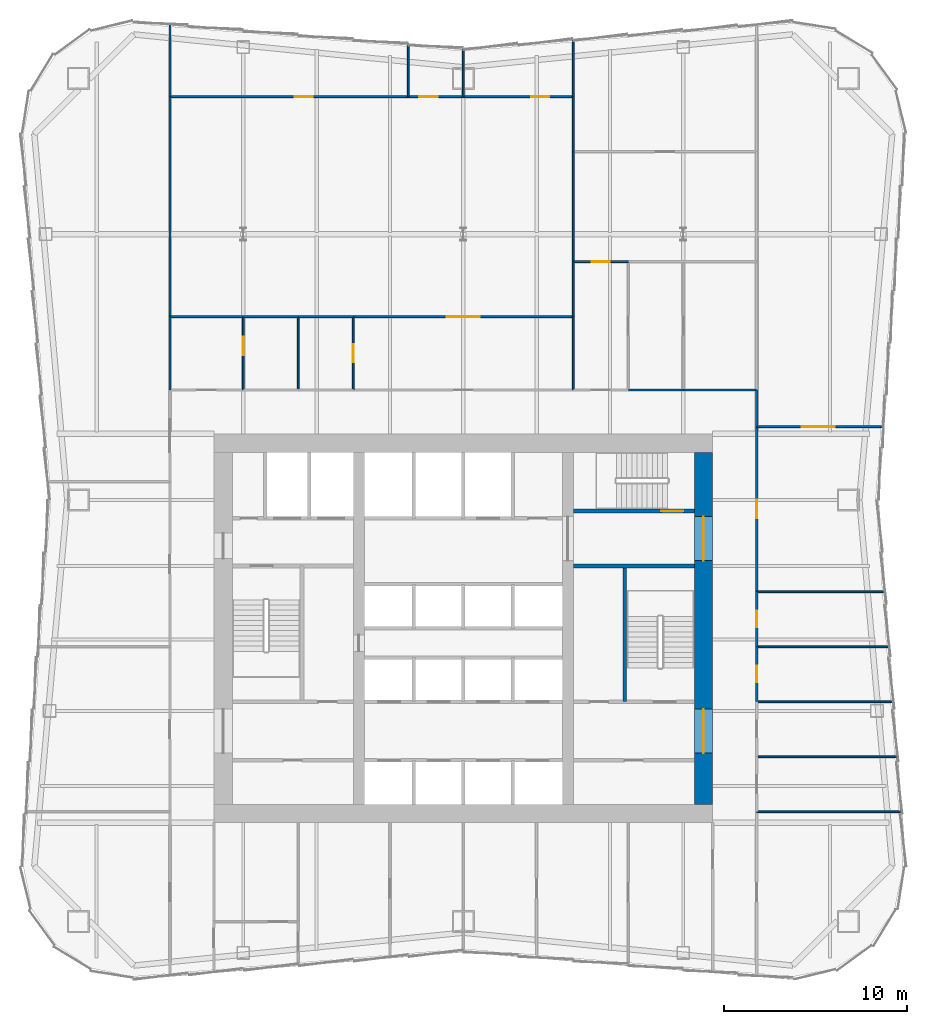
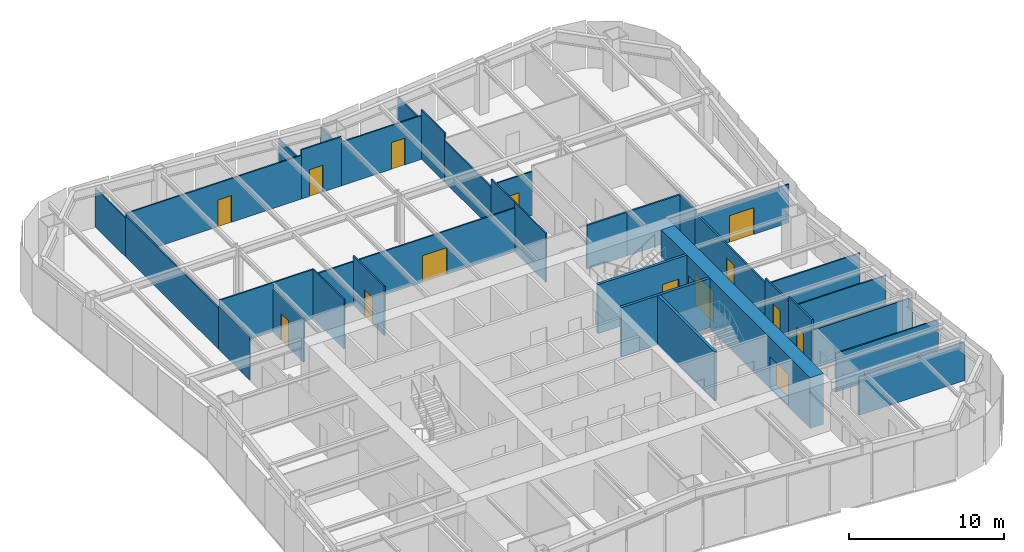
# One storey, part 6 of 8: 37 walls, 14 doors, 14 openings.
"""IFC4 building model written with IfcOpenShell, lengths in metres."""

from ifc_helpers import new_model, si_unit, direction, frame, frame_2d, origin, place, context, subcontext, project, spatial, rectangle, extrude, material, layer, layer_set, type_object, element, fill, save


model = new_model("IFC4")

# Units and contexts
model_context = context("Model", 3, precision=1e-05, world=origin(), true_north=direction((0.0, 1.0)))
body_context = subcontext(model_context, "Body", "Model", "MODEL_VIEW")
ifc_project = project(units=[si_unit("LENGTHUNIT", "METRE"), si_unit("AREAUNIT", "SQUARE_METRE"), si_unit("VOLUMEUNIT", "CUBIC_METRE"), si_unit("PLANEANGLEUNIT", "RADIAN"), si_unit("MASSUNIT", "GRAM", prefix="KILO")], contexts=[model_context])

# Site, building, storey
site_placement = place(None, origin())
site = spatial("IfcSite", under=ifc_project, at=site_placement, CompositionType="ELEMENT")
building_placement = place(site_placement, origin())
building = spatial("IfcBuilding", under=site, at=building_placement, Name="Verdant Reach Tower", CompositionType="ELEMENT")
storey_placement = place(building_placement, frame((0.0, 0.0, 154.0)))
storey = spatial("IfcBuildingStorey", under=building, at=storey_placement, Name="L35", CompositionType="ELEMENT", Elevation=154.0)

# Wall
ifc_material_1 = material(Name="Concrete C40/50", Category="concrete")
ifc_layer_1 = layer(ifc_material_1, 0.199951171875)
ifc_layer_set_1 = layer_set([ifc_layer_1], Name="CO-WALL-STAIR")
wall_type_1 = type_object("IfcWallType", Name="CO-WALL-STAIR", PredefinedType="PARTITIONING", material=ifc_layer_set_1)
wall_1_placement = place(storey_placement, frame((6.0, 31.39990234375, 0.0), z_axis=(0.0, 0.0, 1.0), x_axis=(1.0, 0.0, 0.0)))
element("IfcWall", 1, at=wall_1_placement, inside=storey, type_object=wall_type_1, Name="Stair enclosure wall, L35", PredefinedType="PARTITIONING", context=body_context, shape_type="SweptSolid", body=[
    extrude(rectangle(XDim=6.60009765625, YDim=0.199951171875, at=frame_2d((3.300048828125, 0.0))), origin(), (0.0, 0.0, 1.0), 3.8701171875),
])

# Wall, opening, door
wall_2_placement = place(storey_placement, frame((6.0, 34.39990234375, 0.0), z_axis=(0.0, 0.0, 1.0), x_axis=(1.0, 0.0, 0.0)))
wall_2 = element("IfcWall", 2, at=wall_2_placement, inside=storey, type_object=wall_type_1, Name="Stair enclosure wall, L35", PredefinedType="PARTITIONING", context=body_context, shape_type="SweptSolid", body=[
    extrude(rectangle(XDim=6.60009765625, YDim=0.199951171875, at=frame_2d((3.300048828125, 0.0))), origin(), (0.0, 0.0, 1.0), 3.8701171875),
])
opening_1_placement = place(wall_2_placement, frame((4.800048828125, 0.0, 0.0)))
opening_1 = element("IfcOpeningElement", 3, at=opening_1_placement, cuts=wall_2, Name="Opening SD", PredefinedType="OPENING", context=body_context, shape_type="SweptSolid", body=[
    extrude(rectangle(XDim=1.199951171875, YDim=2.199951171875, at=frame_2d((0.60009765625, 1.10009765625))), frame((0.0, 0.10986328125, 0.0), z_axis=(0.0, -1.0, 0.0), x_axis=(1.0, 0.0, 0.0)), (0.0, 0.0, 1.0), 0.219970703125),
])
ifc_material_2 = material(Name="Steel", Category="steel")
door_type_1 = type_object("IfcDoorType", Name="CO-DOOR-STAIR", OperationType="NOTDEFINED", PredefinedType="DOOR", material=ifc_material_2)
door_1_placement = place(opening_1_placement, origin())
door_1 = element("IfcDoor", 4, at=door_1_placement, inside=storey, type_object=door_type_1, Name="Stair door, L35", OperationType="SINGLE_SWING_RIGHT", OverallHeight=2.199951171875, OverallWidth=1.199951171875, PredefinedType="DOOR", context=body_context, shape_type="SweptSolid", body=[
    extrude(rectangle(XDim=1.199951171875, YDim=2.199951171875, at=frame_2d((0.60009765625, 1.10009765625))), frame((0.0, 0.02490234375, 0.0), z_axis=(0.0, -1.0, 0.0), x_axis=(1.0, 0.0, 0.0)), (0.0, 0.0, 1.0), 0.050048828125),
])
fill(opening_1, door_1)

# Walls
wall_3_placement = place(storey_placement, frame((8.800048828125, 24.0, 0.0), z_axis=(0.0, 0.0, 1.0), x_axis=(0.0, 1.0, 0.0)))
element("IfcWall", 5, at=wall_3_placement, inside=storey, type_object=wall_type_1, Name="Stair enclosure wall, L35", PredefinedType="PARTITIONING", context=body_context, shape_type="SweptSolid", body=[
    extrude(rectangle(XDim=7.39990234375, YDim=0.199951171875, at=frame_2d((3.699951171875, 0.0))), origin(), (0.0, 0.0, 1.0), 3.8701171875),
])
ifc_material_3 = material(Name="Gypsum board on steel studs", Category="steel")
ifc_layer_2 = layer(ifc_material_3, 0.10009765625)
ifc_layer_set_2 = layer_set([ifc_layer_2], Name="FL-W1 Partition 100")
wall_type_2 = type_object("IfcWallType", Name="FL-W1 Partition 100", PredefinedType="PARTITIONING", material=ifc_layer_set_2)
wall_4_placement = place(storey_placement, frame((-16.0, 41.0, 0.0), z_axis=(0.0, 0.0, 1.0), x_axis=(0.0, 1.0, 0.0)))
element("IfcWall", 6, at=wall_4_placement, inside=storey, type_object=wall_type_2, Name="Partition 35.25", PredefinedType="PARTITIONING", context=body_context, shape_type="SweptSolid", body=[
    extrude(rectangle(XDim=4.0, YDim=0.10009765625, at=frame_2d((2.0, 0.0))), origin(), (0.0, 0.0, 1.0), 3.43994140625),
])
wall_5_placement = place(storey_placement, frame((-16.0, 45.0, 0.0), z_axis=(0.0, 0.0, 1.0), x_axis=(0.0, 1.0, 0.0)))
element("IfcWall", 7, at=wall_5_placement, inside=storey, type_object=wall_type_2, Name="Partition 35.26", PredefinedType="PARTITIONING", context=body_context, shape_type="SweptSolid", body=[
    extrude(rectangle(XDim=12.0, YDim=0.10009765625, at=frame_2d((6.0, 0.0))), origin(), (0.0, 0.0, 1.0), 3.239990234375),
])
wall_6_placement = place(storey_placement, frame((-16.0, 57.0, 0.0), z_axis=(0.0, 0.0, 1.0), x_axis=(0.0, 1.0, 0.0)))
element("IfcWall", 8, at=wall_6_placement, inside=storey, type_object=wall_type_2, Name="Partition 35.27", PredefinedType="PARTITIONING", context=body_context, shape_type="SweptSolid", body=[
    extrude(rectangle(XDim=3.913330078125, YDim=0.10009765625, at=frame_2d((1.95654296875, 0.0))), origin(), (0.0, 0.0, 1.0), 3.0400390625),
])
wall_7_placement = place(storey_placement, frame((23.85498046875, 18.0, 0.0), z_axis=(0.0, 0.0, 1.0), x_axis=(-1.0, 0.0, 0.0)))
element("IfcWall", 9, at=wall_7_placement, inside=storey, type_object=wall_type_2, Name="Partition 35.28", PredefinedType="PARTITIONING", context=body_context, shape_type="SweptSolid", body=[
    extrude(rectangle(XDim=7.85498046875, YDim=0.10009765625, at=frame_2d((3.927490234375, 0.0))), origin(), (0.0, 0.0, 1.0), 3.0400390625),
])
wall_8_placement = place(storey_placement, frame((23.6298828125, 21.0, 0.0), z_axis=(0.0, 0.0, 1.0), x_axis=(-1.0, 0.0, 0.0)))
element("IfcWall", 10, at=wall_8_placement, inside=storey, type_object=wall_type_2, Name="Partition 35.29", PredefinedType="PARTITIONING", context=body_context, shape_type="SweptSolid", body=[
    extrude(rectangle(XDim=7.6298828125, YDim=0.10009765625, at=frame_2d((3.81494140625, 0.0))), origin(), (0.0, 0.0, 1.0), 3.0400390625),
])
wall_9_placement = place(storey_placement, frame((23.405029296875, 24.0, 0.0), z_axis=(0.0, 0.0, 1.0), x_axis=(-1.0, 0.0, 0.0)))
element("IfcWall", 11, at=wall_9_placement, inside=storey, type_object=wall_type_2, Name="Partition 35.30", PredefinedType="PARTITIONING", context=body_context, shape_type="SweptSolid", body=[
    extrude(rectangle(XDim=7.405029296875, YDim=0.10009765625, at=frame_2d((3.70263671875, 0.0))), origin(), (0.0, 0.0, 1.0), 3.0400390625),
])
wall_10_placement = place(storey_placement, frame((23.179931640625, 27.0, 0.0), z_axis=(0.0, 0.0, 1.0), x_axis=(-1.0, 0.0, 0.0)))
element("IfcWall", 12, at=wall_10_placement, inside=storey, type_object=wall_type_2, Name="Partition 35.31", PredefinedType="PARTITIONING", context=body_context, shape_type="SweptSolid", body=[
    extrude(rectangle(XDim=7.179931640625, YDim=0.10009765625, at=frame_2d((3.58984375, 0.0))), origin(), (0.0, 0.0, 1.0), 3.0400390625),
])
wall_11_placement = place(storey_placement, frame((22.955078125, 30.0, 0.0), z_axis=(0.0, 0.0, 1.0), x_axis=(-1.0, 0.0, 0.0)))
element("IfcWall", 13, at=wall_11_placement, inside=storey, type_object=wall_type_2, Name="Partition 35.32", PredefinedType="PARTITIONING", context=body_context, shape_type="SweptSolid", body=[
    extrude(rectangle(XDim=6.955078125, YDim=0.10009765625, at=frame_2d((3.4775390625, 0.0))), origin(), (0.0, 0.0, 1.0), 3.0400390625),
])

# Wall, opening, door
wall_12_placement = place(storey_placement, frame((16.0, 39.0, 0.0), z_axis=(0.0, 0.0, 1.0), x_axis=(1.0, 0.0, 0.0)))
wall_12 = element("IfcWall", 14, at=wall_12_placement, inside=storey, type_object=wall_type_2, Name="Partition 35.33", PredefinedType="PARTITIONING", context=body_context, shape_type="SweptSolid", body=[
    extrude(rectangle(XDim=6.8798828125, YDim=0.10009765625, at=frame_2d((3.43994140625, 0.0))), origin(), (0.0, 0.0, 1.0), 3.0400390625),
])
opening_2_placement = place(wall_12_placement, frame((2.474853515625, 0.0, 0.0)))
opening_2 = element("IfcOpeningElement", 15, at=opening_2_placement, cuts=wall_12, Name="Opening D5", PredefinedType="OPENING", context=body_context, shape_type="SweptSolid", body=[
    extrude(rectangle(XDim=1.800048828125, YDim=2.10009765625, at=frame_2d((0.89990234375, 1.050048828125))), frame((0.0, 0.06005859375, 0.0), z_axis=(0.0, -1.0, 0.0), x_axis=(1.0, 0.0, 0.0)), (0.0, 0.0, 1.0), 0.1201171875),
])
ifc_material_4 = material(Name="Painted timber door leaves", Category="wood")
door_type_2 = type_object("IfcDoorType", Name="FL-D5 Double door 1800x2100", OperationType="DOUBLE_DOOR_SINGLE_SWING", PredefinedType="DOOR", material=ifc_material_4)
door_2_placement = place(opening_2_placement, origin())
door_2 = element("IfcDoor", 16, at=door_2_placement, inside=storey, type_object=door_type_2, Name="Door 35-016", OperationType="DOUBLE_DOOR_SINGLE_SWING", OverallHeight=2.10009765625, OverallWidth=1.800048828125, PredefinedType="DOOR", context=body_context, shape_type="SweptSolid", body=[
    extrude(rectangle(XDim=1.800048828125, YDim=2.10009765625, at=frame_2d((0.89990234375, 1.050048828125))), frame((0.0, 0.02490234375, 0.0), z_axis=(0.0, -1.0, 0.0), x_axis=(1.0, 0.0, 0.0)), (0.0, 0.0, 1.0), 0.050048828125),
])
fill(opening_2, door_2)

wall_13_placement = place(storey_placement, frame((-12.0, 45.0, 0.0), z_axis=(0.0, 0.0, 1.0), x_axis=(0.0, -1.0, 0.0)))
wall_13 = element("IfcWall", 17, at=wall_13_placement, inside=storey, type_object=wall_type_2, Name="Partition 35.44", PredefinedType="PARTITIONING", context=body_context, shape_type="SweptSolid", body=[
    extrude(rectangle(XDim=4.0, YDim=0.10009765625, at=frame_2d((2.0, 0.0))), origin(), (0.0, 0.0, 1.0), 3.43994140625),
])
opening_3_placement = place(wall_13_placement, frame((1.10009765625, 0.0, 0.0)))
opening_3 = element("IfcOpeningElement", 18, at=opening_3_placement, cuts=wall_13, Name="Opening D3", PredefinedType="OPENING", context=body_context, shape_type="SweptSolid", body=[
    extrude(rectangle(XDim=1.0, YDim=2.10009765625, at=frame_2d((0.5, 1.050048828125))), frame((0.0, 0.06005859375, 0.0), z_axis=(0.0, -1.0, 0.0), x_axis=(1.0, 0.0, 0.0)), (0.0, 0.0, 1.0), 0.1201171875),
])
ifc_material_5 = material(Name="Painted timber door leaf", Category="wood")
door_type_3 = type_object("IfcDoorType", Name="FL-D3 Door 1000x2100", OperationType="NOTDEFINED", PredefinedType="DOOR", material=ifc_material_5)
door_3_placement = place(opening_3_placement, origin())
door_3 = element("IfcDoor", 19, at=door_3_placement, inside=storey, type_object=door_type_3, Name="Door 35-022", OperationType="SINGLE_SWING_LEFT", OverallHeight=2.10009765625, OverallWidth=1.0, PredefinedType="DOOR", context=body_context, shape_type="SweptSolid", body=[
    extrude(rectangle(XDim=1.0, YDim=2.10009765625, at=frame_2d((0.5, 1.050048828125))), frame((0.0, 0.02490234375, 0.0), z_axis=(0.0, -1.0, 0.0), x_axis=(1.0, 0.0, 0.0)), (0.0, 0.0, 1.0), 0.050048828125),
])
fill(opening_3, door_3)

# Walls
wall_14_placement = place(storey_placement, frame((-11.99609375, 45.0, 0.0), z_axis=(0.0, 0.0, 1.0), x_axis=(-1.0, 0.0, 0.0)))
element("IfcWall", 20, at=wall_14_placement, inside=storey, type_object=wall_type_2, Name="Partition 35.45", PredefinedType="PARTITIONING", context=body_context, shape_type="SweptSolid", body=[
    extrude(rectangle(XDim=4.00390625, YDim=0.10009765625, at=frame_2d((2.001953125, 0.0))), origin(), (0.0, 0.0, 1.0), 3.8701171875),
])
wall_15_placement = place(storey_placement, frame((-9.0, 41.0, 0.0), z_axis=(0.0, 0.0, 1.0), x_axis=(0.0, 1.0, 0.0)))
element("IfcWall", 21, at=wall_15_placement, inside=storey, type_object=wall_type_2, Name="Partition 35.46", PredefinedType="PARTITIONING", context=body_context, shape_type="SweptSolid", body=[
    extrude(rectangle(XDim=4.0, YDim=0.10009765625, at=frame_2d((2.0, 0.0))), origin(), (0.0, 0.0, 1.0), 3.8701171875),
])
wall_16_placement = place(storey_placement, frame((-8.99609375, 45.0, 0.0), z_axis=(0.0, 0.0, 1.0), x_axis=(-1.0, 0.0, 0.0)))
element("IfcWall", 22, at=wall_16_placement, inside=storey, type_object=wall_type_2, Name="Partition 35.47", PredefinedType="PARTITIONING", context=body_context, shape_type="SweptSolid", body=[
    extrude(rectangle(XDim=3.0078125, YDim=0.10009765625, at=frame_2d((1.50390625, 0.0))), origin(), (0.0, 0.0, 1.0), 3.8701171875),
])

# Wall, opening, door
wall_17_placement = place(storey_placement, frame((-6.0, 41.0, 0.0), z_axis=(0.0, 0.0, 1.0), x_axis=(0.0, 1.0, 0.0)))
wall_17 = element("IfcWall", 23, at=wall_17_placement, inside=storey, type_object=wall_type_2, Name="Partition 35.48", PredefinedType="PARTITIONING", context=body_context, shape_type="SweptSolid", body=[
    extrude(rectangle(XDim=4.0, YDim=0.10009765625, at=frame_2d((2.0, 0.0))), origin(), (0.0, 0.0, 1.0), 3.8701171875),
])
opening_4_placement = place(wall_17_placement, frame((1.5, 0.0, 0.0)))
opening_4 = element("IfcOpeningElement", 24, at=opening_4_placement, cuts=wall_17, Name="Opening D3", PredefinedType="OPENING", context=body_context, shape_type="SweptSolid", body=[
    extrude(rectangle(XDim=1.0, YDim=2.10009765625, at=frame_2d((0.5, 1.050048828125))), frame((0.0, 0.06005859375, 0.0), z_axis=(0.0, -1.0, 0.0), x_axis=(1.0, 0.0, 0.0)), (0.0, 0.0, 1.0), 0.1201171875),
])
door_4_placement = place(opening_4_placement, origin())
door_4 = element("IfcDoor", 25, at=door_4_placement, inside=storey, type_object=door_type_3, Name="Door 35-023", OperationType="SINGLE_SWING_LEFT", OverallHeight=2.10009765625, OverallWidth=1.0, PredefinedType="DOOR", context=body_context, shape_type="SweptSolid", body=[
    extrude(rectangle(XDim=1.0, YDim=2.10009765625, at=frame_2d((0.5, 1.050048828125))), frame((0.0, 0.02490234375, 0.0), z_axis=(0.0, -1.0, 0.0), x_axis=(1.0, 0.0, 0.0)), (0.0, 0.0, 1.0), 0.050048828125),
])
fill(opening_4, door_4)

# Wall
wall_18_placement = place(storey_placement, frame((-5.99609375, 45.0, 0.0), z_axis=(0.0, 0.0, 1.0), x_axis=(-1.0, 0.0, 0.0)))
element("IfcWall", 26, at=wall_18_placement, inside=storey, type_object=wall_type_2, Name="Partition 35.49", PredefinedType="PARTITIONING", context=body_context, shape_type="SweptSolid", body=[
    extrude(rectangle(XDim=3.0078125, YDim=0.10009765625, at=frame_2d((1.50390625, 0.0))), origin(), (0.0, 0.0, 1.0), 3.43994140625),
])

# Wall, opening, door
wall_19_placement = place(storey_placement, frame((-6.00390625, 45.0, 0.0), z_axis=(0.0, 0.0, 1.0), x_axis=(1.0, 0.0, 0.0)))
wall_19 = element("IfcWall", 27, at=wall_19_placement, inside=storey, type_object=wall_type_2, Name="Partition 35.50", PredefinedType="PARTITIONING", context=body_context, shape_type="SweptSolid", body=[
    extrude(rectangle(XDim=12.00390625, YDim=0.10009765625, at=frame_2d((6.001953125, 0.0))), origin(), (0.0, 0.0, 1.0), 3.43994140625),
])
opening_5_placement = place(wall_19_placement, frame((5.10205078125, 0.0, 0.0)))
opening_5 = element("IfcOpeningElement", 28, at=opening_5_placement, cuts=wall_19, Name="Opening D5", PredefinedType="OPENING", context=body_context, shape_type="SweptSolid", body=[
    extrude(rectangle(XDim=1.800048828125, YDim=2.10009765625, at=frame_2d((0.89990234375, 1.050048828125))), frame((0.0, 0.06005859375, 0.0), z_axis=(0.0, -1.0, 0.0), x_axis=(1.0, 0.0, 0.0)), (0.0, 0.0, 1.0), 0.1201171875),
])
door_5_placement = place(opening_5_placement, origin())
door_5 = element("IfcDoor", 29, at=door_5_placement, inside=storey, type_object=door_type_2, Name="Door 35-024", OperationType="DOUBLE_DOOR_SINGLE_SWING", OverallHeight=2.10009765625, OverallWidth=1.800048828125, PredefinedType="DOOR", context=body_context, shape_type="SweptSolid", body=[
    extrude(rectangle(XDim=1.800048828125, YDim=2.10009765625, at=frame_2d((0.89990234375, 1.050048828125))), frame((0.0, 0.02490234375, 0.0), z_axis=(0.0, -1.0, 0.0), x_axis=(1.0, 0.0, 0.0)), (0.0, 0.0, 1.0), 0.050048828125),
])
fill(opening_5, door_5)

# Wall
wall_20_placement = place(storey_placement, frame((6.0, 41.0, 0.0), z_axis=(0.0, 0.0, 1.0), x_axis=(0.0, 1.0, 0.0)))
element("IfcWall", 30, at=wall_20_placement, inside=storey, type_object=wall_type_2, Name="Partition 35.51", PredefinedType="PARTITIONING", context=body_context, shape_type="SweptSolid", body=[
    extrude(rectangle(XDim=4.00390625, YDim=0.10009765625, at=frame_2d((2.001953125, 0.0))), origin(), (0.0, 0.0, 1.0), 3.8701171875),
])

# Wall, opening, door
wall_21_placement = place(storey_placement, frame((-16.0, 57.0, 0.0), z_axis=(0.0, 0.0, 1.0), x_axis=(1.0, 0.0, 0.0)))
wall_21 = element("IfcWall", 31, at=wall_21_placement, inside=storey, type_object=wall_type_2, Name="Partition 35.52", PredefinedType="PARTITIONING", context=body_context, shape_type="SweptSolid", body=[
    extrude(rectangle(XDim=13.0, YDim=0.10009765625, at=frame_2d((6.5, 0.0))), origin(), (0.0, 0.0, 1.0), 3.43994140625),
])
opening_6_placement = place(wall_21_placement, frame((6.800048828125, 0.0, 0.0)))
opening_6 = element("IfcOpeningElement", 32, at=opening_6_placement, cuts=wall_21, Name="Opening D3", PredefinedType="OPENING", context=body_context, shape_type="SweptSolid", body=[
    extrude(rectangle(XDim=1.0, YDim=2.10009765625, at=frame_2d((0.5, 1.050048828125))), frame((0.0, 0.06005859375, 0.0), z_axis=(0.0, -1.0, 0.0), x_axis=(1.0, 0.0, 0.0)), (0.0, 0.0, 1.0), 0.1201171875),
])
door_6_placement = place(opening_6_placement, origin())
door_6 = element("IfcDoor", 33, at=door_6_placement, inside=storey, type_object=door_type_3, Name="Door 35-025", OperationType="SINGLE_SWING_RIGHT", OverallHeight=2.10009765625, OverallWidth=1.0, PredefinedType="DOOR", context=body_context, shape_type="SweptSolid", body=[
    extrude(rectangle(XDim=1.0, YDim=2.10009765625, at=frame_2d((0.5, 1.050048828125))), frame((0.0, 0.02490234375, 0.0), z_axis=(0.0, -1.0, 0.0), x_axis=(1.0, 0.0, 0.0)), (0.0, 0.0, 1.0), 0.050048828125),
])
fill(opening_6, door_6)

wall_22_placement = place(storey_placement, frame((-3.0, 57.0, 0.0), z_axis=(0.0, 0.0, 1.0), x_axis=(1.0, 0.0, 0.0)))
wall_22 = element("IfcWall", 34, at=wall_22_placement, inside=storey, type_object=wall_type_2, Name="Partition 35.53", PredefinedType="PARTITIONING", context=body_context, shape_type="SweptSolid", body=[
    extrude(rectangle(XDim=3.0, YDim=0.10009765625, at=frame_2d((1.5, 0.0))), origin(), (0.0, 0.0, 1.0), 3.8701171875),
])
opening_7_placement = place(wall_22_placement, frame((0.60009765625, 0.0, 0.0)))
opening_7 = element("IfcOpeningElement", 35, at=opening_7_placement, cuts=wall_22, Name="Opening D3", PredefinedType="OPENING", context=body_context, shape_type="SweptSolid", body=[
    extrude(rectangle(XDim=1.0, YDim=2.10009765625, at=frame_2d((0.5, 1.050048828125))), frame((0.0, 0.06005859375, 0.0), z_axis=(0.0, -1.0, 0.0), x_axis=(1.0, 0.0, 0.0)), (0.0, 0.0, 1.0), 0.1201171875),
])
door_7_placement = place(opening_7_placement, origin())
door_7 = element("IfcDoor", 36, at=door_7_placement, inside=storey, type_object=door_type_3, Name="Door 35-026", OperationType="SINGLE_SWING_LEFT", OverallHeight=2.10009765625, OverallWidth=1.0, PredefinedType="DOOR", context=body_context, shape_type="SweptSolid", body=[
    extrude(rectangle(XDim=1.0, YDim=2.10009765625, at=frame_2d((0.5, 1.050048828125))), frame((0.0, 0.02490234375, 0.0), z_axis=(0.0, -1.0, 0.0), x_axis=(1.0, 0.0, 0.0)), (0.0, 0.0, 1.0), 0.050048828125),
])
fill(opening_7, door_7)

wall_23_placement = place(storey_placement, frame((0.0, 57.0, 0.0), z_axis=(0.0, 0.0, 1.0), x_axis=(1.0, 0.0, 0.0)))
wall_23 = element("IfcWall", 37, at=wall_23_placement, inside=storey, type_object=wall_type_2, Name="Partition 35.54", PredefinedType="PARTITIONING", context=body_context, shape_type="SweptSolid", body=[
    extrude(rectangle(XDim=6.0, YDim=0.10009765625, at=frame_2d((3.0, 0.0))), origin(), (0.0, 0.0, 1.0), 3.43994140625),
])
opening_8_placement = place(wall_23_placement, frame((3.699951171875, 0.0, 0.0)))
opening_8 = element("IfcOpeningElement", 38, at=opening_8_placement, cuts=wall_23, Name="Opening D3", PredefinedType="OPENING", context=body_context, shape_type="SweptSolid", body=[
    extrude(rectangle(XDim=1.0, YDim=2.10009765625, at=frame_2d((0.5, 1.050048828125))), frame((0.0, 0.06005859375, 0.0), z_axis=(0.0, -1.0, 0.0), x_axis=(1.0, 0.0, 0.0)), (0.0, 0.0, 1.0), 0.1201171875),
])
door_8_placement = place(opening_8_placement, origin())
door_8 = element("IfcDoor", 39, at=door_8_placement, inside=storey, type_object=door_type_3, Name="Door 35-027", OperationType="SINGLE_SWING_RIGHT", OverallHeight=2.10009765625, OverallWidth=1.0, PredefinedType="DOOR", context=body_context, shape_type="SweptSolid", body=[
    extrude(rectangle(XDim=1.0, YDim=2.10009765625, at=frame_2d((0.5, 1.050048828125))), frame((0.0, 0.02490234375, 0.0), z_axis=(0.0, -1.0, 0.0), x_axis=(1.0, 0.0, 0.0)), (0.0, 0.0, 1.0), 0.050048828125),
])
fill(opening_8, door_8)

# Walls
wall_24_placement = place(storey_placement, frame((6.0, 44.99609375, 0.0), z_axis=(0.0, 0.0, 1.0), x_axis=(0.0, 1.0, 0.0)))
element("IfcWall", 40, at=wall_24_placement, inside=storey, type_object=wall_type_2, Name="Partition 35.55", PredefinedType="PARTITIONING", context=body_context, shape_type="SweptSolid", body=[
    extrude(rectangle(XDim=3.00390625, YDim=0.10009765625, at=frame_2d((1.501953125, 0.0))), origin(), (0.0, 0.0, 1.0), 3.8701171875),
])
wall_25_placement = place(storey_placement, frame((6.0, 48.0, 0.0), z_axis=(0.0, 0.0, 1.0), x_axis=(0.0, 1.0, 0.0)))
element("IfcWall", 41, at=wall_25_placement, inside=storey, type_object=wall_type_2, Name="Partition 35.56", PredefinedType="PARTITIONING", context=body_context, shape_type="SweptSolid", body=[
    extrude(rectangle(XDim=6.0, YDim=0.10009765625, at=frame_2d((3.0, 0.0))), origin(), (0.0, 0.0, 1.0), 3.239990234375),
])
wall_26_placement = place(storey_placement, frame((6.0, 54.0, 0.0), z_axis=(0.0, 0.0, 1.0), x_axis=(0.0, 1.0, 0.0)))
element("IfcWall", 42, at=wall_26_placement, inside=storey, type_object=wall_type_2, Name="Partition 35.57", PredefinedType="PARTITIONING", context=body_context, shape_type="SweptSolid", body=[
    extrude(rectangle(XDim=3.00390625, YDim=0.10009765625, at=frame_2d((1.501953125, 0.0))), origin(), (0.0, 0.0, 1.0), 3.8701171875),
])
wall_27_placement = place(storey_placement, frame((-3.0, 57.0, 0.0), z_axis=(0.0, 0.0, 1.0), x_axis=(0.0, 1.0, 0.0)))
element("IfcWall", 43, at=wall_27_placement, inside=storey, type_object=wall_type_2, Name="Partition 35.58", PredefinedType="PARTITIONING", context=body_context, shape_type="SweptSolid", body=[
    extrude(rectangle(XDim=2.830078125, YDim=0.10009765625, at=frame_2d((1.4150390625, 0.0))), origin(), (0.0, 0.0, 1.0), 3.0400390625),
])
wall_28_placement = place(storey_placement, frame((0.0, 57.0, 0.0), z_axis=(0.0, 0.0, 1.0), x_axis=(0.0, 1.0, 0.0)))
element("IfcWall", 44, at=wall_28_placement, inside=storey, type_object=wall_type_2, Name="Partition 35.59", PredefinedType="PARTITIONING", context=body_context, shape_type="SweptSolid", body=[
    extrude(rectangle(XDim=2.580078125, YDim=0.10009765625, at=frame_2d((1.2900390625, 0.0))), origin(), (0.0, 0.0, 1.0), 3.0400390625),
])
wall_29_placement = place(storey_placement, frame((6.0, 56.99609375, 0.0), z_axis=(0.0, 0.0, 1.0), x_axis=(0.0, 1.0, 0.0)))
element("IfcWall", 45, at=wall_29_placement, inside=storey, type_object=wall_type_2, Name="Partition 35.60", PredefinedType="PARTITIONING", context=body_context, shape_type="SweptSolid", body=[
    extrude(rectangle(XDim=3.083984375, YDim=0.10009765625, at=frame_2d((1.5419921875, 0.0))), origin(), (0.0, 0.0, 1.0), 3.0400390625),
])

# Wall, opening, door
wall_30_placement = place(storey_placement, frame((6.0, 48.0, 0.0), z_axis=(0.0, 0.0, 1.0), x_axis=(1.0, 0.0, 0.0)))
wall_30 = element("IfcWall", 46, at=wall_30_placement, inside=storey, type_object=wall_type_2, Name="Partition 35.62", PredefinedType="PARTITIONING", context=body_context, shape_type="SweptSolid", body=[
    extrude(rectangle(XDim=3.00390625, YDim=0.10009765625, at=frame_2d((1.501953125, 0.0))), origin(), (0.0, 0.0, 1.0), 3.43994140625),
])
opening_9_placement = place(wall_30_placement, frame((1.001953125, 0.0, 0.0)))
opening_9 = element("IfcOpeningElement", 47, at=opening_9_placement, cuts=wall_30, Name="Opening D3", PredefinedType="OPENING", context=body_context, shape_type="SweptSolid", body=[
    extrude(rectangle(XDim=1.0, YDim=2.10009765625, at=frame_2d((0.5, 1.050048828125))), frame((0.0, 0.06005859375, 0.0), z_axis=(0.0, -1.0, 0.0), x_axis=(1.0, 0.0, 0.0)), (0.0, 0.0, 1.0), 0.1201171875),
])
door_9_placement = place(opening_9_placement, origin())
door_9 = element("IfcDoor", 48, at=door_9_placement, inside=storey, type_object=door_type_3, Name="Door 35-029", OperationType="SINGLE_SWING_LEFT", OverallHeight=2.10009765625, OverallWidth=1.0, PredefinedType="DOOR", context=body_context, shape_type="SweptSolid", body=[
    extrude(rectangle(XDim=1.0, YDim=2.10009765625, at=frame_2d((0.5, 1.050048828125))), frame((0.0, 0.02490234375, 0.0), z_axis=(0.0, -1.0, 0.0), x_axis=(1.0, 0.0, 0.0)), (0.0, 0.0, 1.0), 0.050048828125),
])
fill(opening_9, door_9)

ifc_material_6 = material(Name="Gypsum board on steel studs, fire rated", Category="steel")
ifc_layer_3 = layer(ifc_material_6, 0.125)
ifc_layer_set_3 = layer_set([ifc_layer_3], Name="FL-W2 Corridor wall 125")
wall_type_3 = type_object("IfcWallType", Name="FL-W2 Corridor wall 125", PredefinedType="PARTITIONING", material=ifc_layer_set_3)
wall_31_placement = place(storey_placement, frame((16.0, 27.0, 0.0), z_axis=(0.0, 0.0, 1.0), x_axis=(0.0, -1.0, 0.0)))
wall_31 = element("IfcWall", 49, at=wall_31_placement, inside=storey, type_object=wall_type_3, Name="Partition 35.08", PredefinedType="PARTITIONING", context=body_context, shape_type="SweptSolid", body=[
    extrude(rectangle(XDim=3.0, YDim=0.125, at=frame_2d((1.5, 0.0))), origin(), (0.0, 0.0, 1.0), 3.8701171875),
])
opening_10_placement = place(wall_31_placement, frame((1.050048828125, 0.0, 0.0)))
opening_10 = element("IfcOpeningElement", 50, at=opening_10_placement, cuts=wall_31, Name="Opening D1", PredefinedType="OPENING", context=body_context, shape_type="SweptSolid", body=[
    extrude(rectangle(XDim=0.89990234375, YDim=2.10009765625, at=frame_2d((0.449951171875, 1.050048828125))), frame((0.0, 0.072509765625, 0.0), z_axis=(0.0, -1.0, 0.0), x_axis=(1.0, 0.0, 0.0)), (0.0, 0.0, 1.0), 0.14501953125),
])
door_type_4 = type_object("IfcDoorType", Name="FL-D1 Door 900x2100", OperationType="NOTDEFINED", PredefinedType="DOOR", material=ifc_material_5)
door_10_placement = place(opening_10_placement, origin())
door_10 = element("IfcDoor", 51, at=door_10_placement, inside=storey, type_object=door_type_4, Name="Door 35-008", OperationType="SINGLE_SWING_RIGHT", OverallHeight=2.10009765625, OverallWidth=0.89990234375, PredefinedType="DOOR", context=body_context, shape_type="SweptSolid", body=[
    extrude(rectangle(XDim=0.89990234375, YDim=2.10009765625, at=frame_2d((0.449951171875, 1.050048828125))), frame((0.0, 0.02490234375, 0.0), z_axis=(0.0, -1.0, 0.0), x_axis=(1.0, 0.0, 0.0)), (0.0, 0.0, 1.0), 0.050048828125),
])
fill(opening_10, door_10)

wall_32_placement = place(storey_placement, frame((16.0, 30.0, 0.0), z_axis=(0.0, 0.0, 1.0), x_axis=(0.0, -1.0, 0.0)))
wall_32 = element("IfcWall", 52, at=wall_32_placement, inside=storey, type_object=wall_type_3, Name="Partition 35.09", PredefinedType="PARTITIONING", context=body_context, shape_type="SweptSolid", body=[
    extrude(rectangle(XDim=3.0, YDim=0.125, at=frame_2d((1.5, 0.0))), origin(), (0.0, 0.0, 1.0), 3.47998046875),
])
opening_11_placement = place(wall_32_placement, frame((1.050048828125, 0.0, 0.0)))
opening_11 = element("IfcOpeningElement", 53, at=opening_11_placement, cuts=wall_32, Name="Opening D1", PredefinedType="OPENING", context=body_context, shape_type="SweptSolid", body=[
    extrude(rectangle(XDim=0.89990234375, YDim=2.10009765625, at=frame_2d((0.449951171875, 1.050048828125))), frame((0.0, 0.072509765625, 0.0), z_axis=(0.0, -1.0, 0.0), x_axis=(1.0, 0.0, 0.0)), (0.0, 0.0, 1.0), 0.14501953125),
])
door_11_placement = place(opening_11_placement, origin())
door_11 = element("IfcDoor", 54, at=door_11_placement, inside=storey, type_object=door_type_4, Name="Door 35-009", OperationType="SINGLE_SWING_LEFT", OverallHeight=2.10009765625, OverallWidth=0.89990234375, PredefinedType="DOOR", context=body_context, shape_type="SweptSolid", body=[
    extrude(rectangle(XDim=0.89990234375, YDim=2.10009765625, at=frame_2d((0.449951171875, 1.050048828125))), frame((0.0, 0.02490234375, 0.0), z_axis=(0.0, -1.0, 0.0), x_axis=(1.0, 0.0, 0.0)), (0.0, 0.0, 1.0), 0.050048828125),
])
fill(opening_11, door_11)

wall_33_placement = place(storey_placement, frame((16.0, 39.0, 0.0), z_axis=(0.0, 0.0, 1.0), x_axis=(0.0, -1.0, 0.0)))
wall_33 = element("IfcWall", 55, at=wall_33_placement, inside=storey, type_object=wall_type_3, Name="Partition 35.10", PredefinedType="PARTITIONING", context=body_context, shape_type="SweptSolid", body=[
    extrude(rectangle(XDim=9.0, YDim=0.125, at=frame_2d((4.5, 0.0))), origin(), (0.0, 0.0, 1.0), 3.139892578125),
])
opening_12_placement = place(wall_33_placement, frame((4.0, 0.0, 0.0)))
opening_12 = element("IfcOpeningElement", 56, at=opening_12_placement, cuts=wall_33, Name="Opening D2", PredefinedType="OPENING", context=body_context, shape_type="SweptSolid", body=[
    extrude(rectangle(XDim=1.0, YDim=2.10009765625, at=frame_2d((0.5, 1.050048828125))), frame((0.0, 0.072509765625, 0.0), z_axis=(0.0, -1.0, 0.0), x_axis=(1.0, 0.0, 0.0)), (0.0, 0.0, 1.0), 0.14501953125),
])
ifc_material_7 = material(Name="Timber door leaf, fire rated", Category="wood")
door_type_5 = type_object("IfcDoorType", Name="FL-D2 Entrance door 1000x2100 FD30", OperationType="NOTDEFINED", PredefinedType="DOOR", material=ifc_material_7)
door_12_placement = place(opening_12_placement, origin())
door_12 = element("IfcDoor", 57, at=door_12_placement, inside=storey, type_object=door_type_5, Name="Door 35-010", OperationType="SINGLE_SWING_RIGHT", OverallHeight=2.10009765625, OverallWidth=1.0, PredefinedType="DOOR", context=body_context, shape_type="SweptSolid", body=[
    extrude(rectangle(XDim=1.0, YDim=2.10009765625, at=frame_2d((0.5, 1.050048828125))), frame((0.0, 0.02490234375, 0.0), z_axis=(0.0, -1.0, 0.0), x_axis=(1.0, 0.0, 0.0)), (0.0, 0.0, 1.0), 0.050048828125),
])
fill(opening_12, door_12)

# Walls
wall_34_placement = place(storey_placement, frame((16.0, 39.0, 0.0), z_axis=(0.0, 0.0, 1.0), x_axis=(0.0, 1.0, 0.0)))
element("IfcWall", 58, at=wall_34_placement, inside=storey, type_object=wall_type_3, Name="Partition 35.11", PredefinedType="PARTITIONING", context=body_context, shape_type="SweptSolid", body=[
    extrude(rectangle(XDim=2.00390625, YDim=0.125, at=frame_2d((1.001953125, 0.0))), origin(), (0.0, 0.0, 1.0), 3.43994140625),
])
wall_35_placement = place(storey_placement, frame((12.0, 41.0, 0.0), z_axis=(0.0, 0.0, 1.0), x_axis=(-1.0, 0.0, 0.0)))
element("IfcWall", 59, at=wall_35_placement, inside=storey, type_object=wall_type_3, Name="Partition 35.20", PredefinedType="PARTITIONING", context=body_context, shape_type="SweptSolid", body=[
    extrude(rectangle(XDim=3.0, YDim=0.125, at=frame_2d((1.5, 0.0))), origin(), (0.0, 0.0, 1.0), 3.43994140625),
])
wall_36_placement = place(storey_placement, frame((16.0, 41.0, 0.0), z_axis=(0.0, 0.0, 1.0), x_axis=(-1.0, 0.0, 0.0)))
element("IfcWall", 60, at=wall_36_placement, inside=storey, type_object=wall_type_3, Name="Partition 35.21", PredefinedType="PARTITIONING", context=body_context, shape_type="SweptSolid", body=[
    extrude(rectangle(XDim=4.0, YDim=0.125, at=frame_2d((2.0, 0.0))), origin(), (0.0, 0.0, 1.0), 3.43994140625),
])

# Wall, openings, doors
ifc_material_8 = material(Name="Concrete C70/85", Category="concrete")
ifc_layer_4 = layer(ifc_material_8, 1.0)
ifc_layer_set_4 = layer_set([ifc_layer_4], Name="ST-CORE-WALL-1000")
wall_type_4 = type_object("IfcWallType", Name="ST-CORE-WALL-1000", PredefinedType="SHEAR", material=ifc_layer_set_4)
wall_37_placement = place(storey_placement, frame((13.10009765625, 18.39990234375, -0.1298828125), z_axis=(0.0, 0.0, 1.0), x_axis=(0.0, 1.0, 0.0)))
wall_37 = element("IfcWall", 61, at=wall_37_placement, inside=storey, type_object=wall_type_4, Name="Core wall E, L35", PredefinedType="SHEAR", context=body_context, shape_type="SweptSolid", body=[
    extrude(rectangle(XDim=19.2001953125, YDim=1.0, at=frame_2d((9.60009765625, 0.0))), origin(), (0.0, 0.0, 1.0), 4.0),
])
opening_13_placement = place(wall_37_placement, frame((2.800048828125, 0.0, 0.1298828125)))
opening_13 = element("IfcOpeningElement", 62, at=opening_13_placement, cuts=wall_37, Name="Opening LB", PredefinedType="OPENING", context=body_context, shape_type="SweptSolid", body=[
    extrude(rectangle(XDim=2.39990234375, YDim=2.39990234375, at=frame_2d((1.199951171875, 1.199951171875))), frame((0.0, 0.510009765625, 0.0), z_axis=(0.0, -1.0, 0.0), x_axis=(1.0, 0.0, 0.0)), (0.0, 0.0, 1.0), 1.02001953125),
])
opening_14_placement = place(wall_37_placement, frame((13.300048828125, 0.0, 0.1298828125)))
opening_14 = element("IfcOpeningElement", 63, at=opening_14_placement, cuts=wall_37, Name="Opening LB", PredefinedType="OPENING", context=body_context, shape_type="SweptSolid", body=[
    extrude(rectangle(XDim=2.39990234375, YDim=2.39990234375, at=frame_2d((1.199951171875, 1.199951171875))), frame((0.0, 0.510009765625, 0.0), z_axis=(0.0, -1.0, 0.0), x_axis=(1.0, 0.0, 0.0)), (0.0, 0.0, 1.0), 1.02001953125),
])
ifc_material_9 = material(Name="Glass and steel", Category="steel")
door_type_6 = type_object("IfcDoorType", Name="CO-DOOR-LOBBY", OperationType="DOUBLE_DOOR_SINGLE_SWING", PredefinedType="DOOR", material=ifc_material_9)
door_13_placement = place(opening_13_placement, origin())
door_13 = element("IfcDoor", 64, at=door_13_placement, inside=storey, type_object=door_type_6, Name="Core entrance door, L35", OperationType="DOUBLE_DOOR_SINGLE_SWING", OverallHeight=2.39990234375, OverallWidth=2.39990234375, PredefinedType="DOOR", context=body_context, shape_type="SweptSolid", body=[
    extrude(rectangle(XDim=2.39990234375, YDim=2.39990234375, at=frame_2d((1.199951171875, 1.199951171875))), frame((0.0, 0.02490234375, 0.0), z_axis=(0.0, -1.0, 0.0), x_axis=(1.0, 0.0, 0.0)), (0.0, 0.0, 1.0), 0.050048828125),
])
fill(opening_13, door_13)
door_14_placement = place(opening_14_placement, origin())
door_14 = element("IfcDoor", 65, at=door_14_placement, inside=storey, type_object=door_type_6, Name="Core entrance door, L35", OperationType="DOUBLE_DOOR_SINGLE_SWING", OverallHeight=2.39990234375, OverallWidth=2.39990234375, PredefinedType="DOOR", context=body_context, shape_type="SweptSolid", body=[
    extrude(rectangle(XDim=2.39990234375, YDim=2.39990234375, at=frame_2d((1.199951171875, 1.199951171875))), frame((0.0, 0.02490234375, 0.0), z_axis=(0.0, -1.0, 0.0), x_axis=(1.0, 0.0, 0.0)), (0.0, 0.0, 1.0), 0.050048828125),
])
fill(opening_14, door_14)

save(model, "model.ifc")
